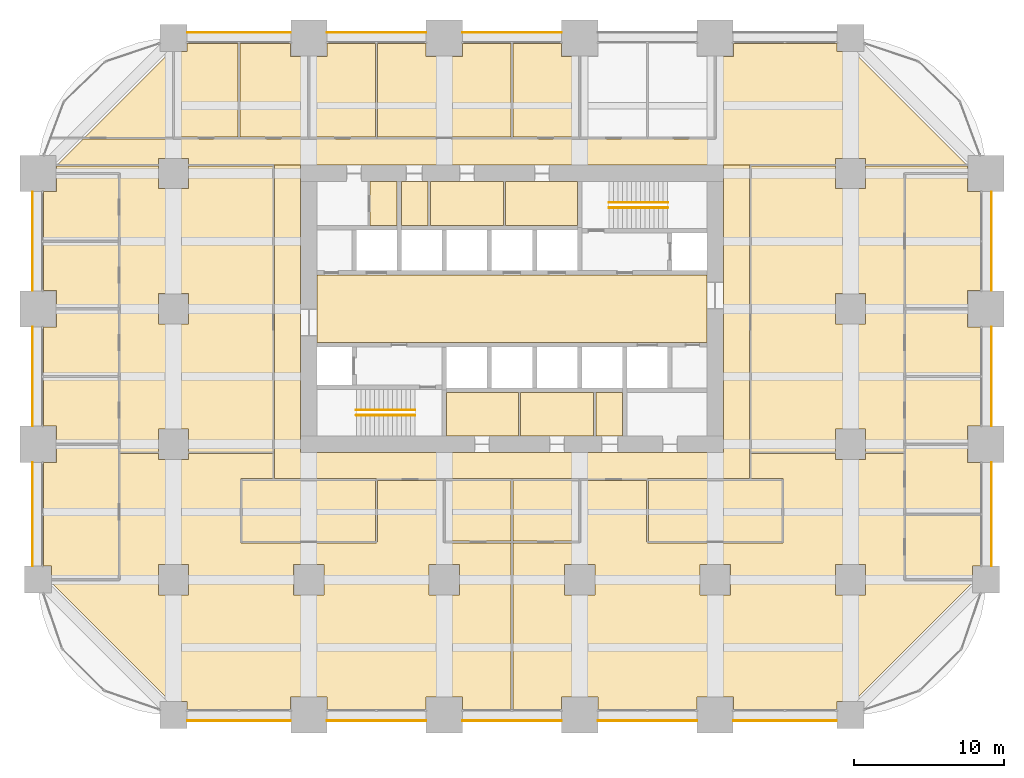
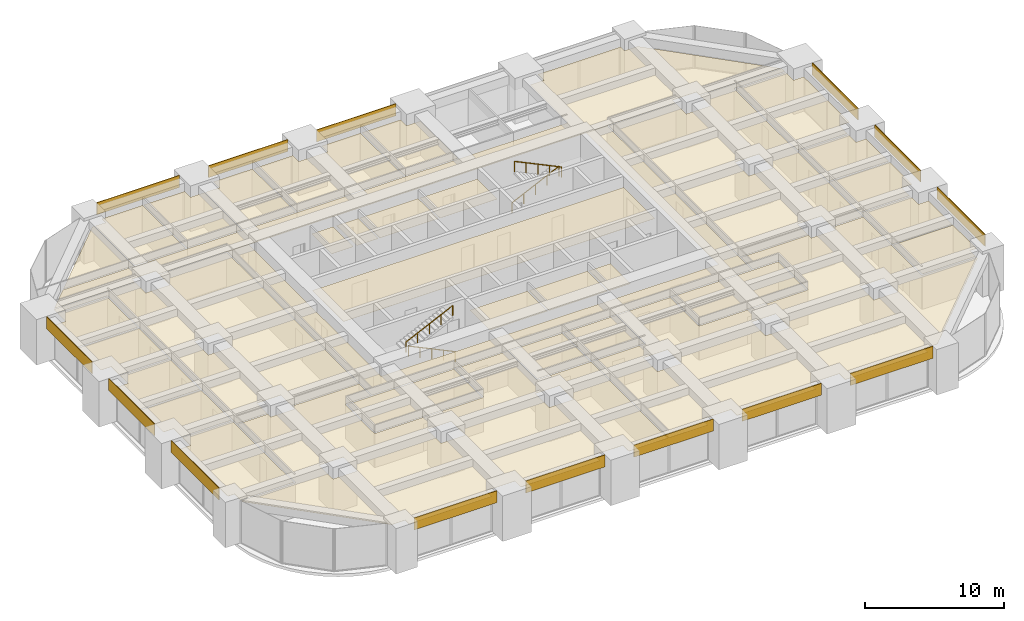
# One storey, part 40 of 41: 48 coverings, 4 railings.
"""IFC4 building model written with IfcOpenShell, lengths in metres."""

from ifc_helpers import new_model, si_unit, direction, frame, frame_2d, origin, origin_2d, place, context, subcontext, project, spatial, polyline, rectangle, circle, outline, extrude, material, layer, layer_set, type_object, element, save


model = new_model("IFC4")

# Units and contexts
model_context = context("Model", 3, precision=1e-05, world=origin(), true_north=direction((0.0, 1.0)))
body_context = subcontext(model_context, "Body", "Model", "MODEL_VIEW")
ifc_project = project(units=[si_unit("LENGTHUNIT", "METRE"), si_unit("AREAUNIT", "SQUARE_METRE"), si_unit("VOLUMEUNIT", "CUBIC_METRE"), si_unit("PLANEANGLEUNIT", "RADIAN"), si_unit("MASSUNIT", "GRAM", prefix="KILO")], contexts=[model_context])

# Site, building, storey
site_placement = place(None, origin())
site = spatial("IfcSite", under=ifc_project, at=site_placement, CompositionType="ELEMENT")
building_placement = place(site_placement, origin())
building = spatial("IfcBuilding", under=site, at=building_placement, Name="Zorevar Civic Tower", CompositionType="ELEMENT")
storey_placement = place(building_placement, frame((0.0, 0.0, 109.0)))
storey = spatial("IfcBuildingStorey", under=building, at=storey_placement, Name="L26", CompositionType="ELEMENT", Elevation=109.0)

# Railings
ifc_material_1 = material(Name="Black steel handrail", Category="steel")
railing_type = type_object("IfcRailingType", Name="Handrail HR1 900", PredefinedType="HANDRAIL", material=ifc_material_1)
railing_1_placement = place(storey_placement, frame((25.050048828125, 19.925048828125, 0.142822265625)))
element("IfcRailing", 1, at=railing_1_placement, inside=storey, type_object=railing_type, Name="Handrail HR1 ST1 L26", PredefinedType="HANDRAIL", context=body_context, shape_type="SweptSolid", body=[
    extrude(circle(Radius=0.02392578125, at=origin_2d()), frame((0.0, 0.0, 0.8759765625), z_axis=(-0.902863652845, 0.0, 0.429926998885), x_axis=(0.0, -1.0, 0.0)), (0.0, 0.0, 1.0), 4.31982421875),
    extrude(circle(Radius=0.02099609375, at=origin_2d()), origin(), (0.0, 0.0, 1.0), 0.851806640625),
    extrude(circle(Radius=0.02099609375, at=origin_2d()), frame((-0.97509765625, 0.0, 0.46435546875)), (0.0, 0.0, 1.0), 0.851806640625),
    extrude(circle(Radius=0.02099609375, at=origin_2d()), frame((-1.9501953125, 0.0, 0.9287109375)), (0.0, 0.0, 1.0), 0.851806640625),
    extrude(circle(Radius=0.02099609375, at=origin_2d()), frame((-2.925048828125, 0.0, 1.392822265625)), (0.0, 0.0, 1.0), 0.851806640625),
    extrude(circle(Radius=0.02099609375, at=origin_2d()), frame((-3.900146484375, 0.0, 1.857177734375)), (0.0, 0.0, 1.0), 0.851806640625),
])
for number, where, name in (
    (2, (21.14990234375, 20.27490234375, 2.142822265625), "Handrail HR1 ST1 L26"),
    (3, (37.949951171875, 34.074951171875, 0.142822265625), "Handrail HR1 ST2 L26"),
):
    element("IfcRailing", number, at=place(storey_placement, frame(where)), inside=storey, type_object=railing_type, Name=name, PredefinedType="HANDRAIL", context=body_context, shape_type="SweptSolid", body=[
        extrude(circle(Radius=0.02392578125, at=origin_2d()), frame((0.0, 0.0, 0.8759765625), z_axis=(0.902863652845, 0.0, 0.429926998885), x_axis=(0.0, 1.0, 0.0)), (0.0, 0.0, 1.0), 4.31982421875),
        extrude(circle(Radius=0.02099609375, at=origin_2d()), origin(), (0.0, 0.0, 1.0), 0.851806640625),
        extrude(circle(Radius=0.02099609375, at=origin_2d()), frame((0.97509765625, 0.0, 0.46435546875)), (0.0, 0.0, 1.0), 0.851806640625),
        extrude(circle(Radius=0.02099609375, at=origin_2d()), frame((1.9501953125, 0.0, 0.9287109375)), (0.0, 0.0, 1.0), 0.851806640625),
        extrude(circle(Radius=0.02099609375, at=origin_2d()), frame((2.925048828125, 0.0, 1.392822265625)), (0.0, 0.0, 1.0), 0.851806640625),
        extrude(circle(Radius=0.02099609375, at=origin_2d()), frame((3.900146484375, 0.0, 1.857177734375)), (0.0, 0.0, 1.0), 0.851806640625),
    ])
railing_2_placement = place(storey_placement, frame((41.85009765625, 33.72509765625, 2.142822265625)))
element("IfcRailing", 4, at=railing_2_placement, inside=storey, type_object=railing_type, Name="Handrail HR1 ST2 L26", PredefinedType="HANDRAIL", context=body_context, shape_type="SweptSolid", body=[
    extrude(circle(Radius=0.02392578125, at=origin_2d()), frame((0.0, 0.0, 0.8759765625), z_axis=(-0.902863652845, 0.0, 0.429926998885), x_axis=(0.0, -1.0, 0.0)), (0.0, 0.0, 1.0), 4.31982421875),
    extrude(circle(Radius=0.02099609375, at=origin_2d()), origin(), (0.0, 0.0, 1.0), 0.851806640625),
    extrude(circle(Radius=0.02099609375, at=origin_2d()), frame((-0.97509765625, 0.0, 0.46435546875)), (0.0, 0.0, 1.0), 0.851806640625),
    extrude(circle(Radius=0.02099609375, at=origin_2d()), frame((-1.9501953125, 0.0, 0.9287109375)), (0.0, 0.0, 1.0), 0.851806640625),
    extrude(circle(Radius=0.02099609375, at=origin_2d()), frame((-2.925048828125, 0.0, 1.392822265625)), (0.0, 0.0, 1.0), 0.851806640625),
    extrude(circle(Radius=0.02099609375, at=origin_2d()), frame((-3.900146484375, 0.0, 1.857177734375)), (0.0, 0.0, 1.0), 0.851806640625),
])

# Coverings
ifc_material_2 = material(Name="Moisture-resistant gypsum board")
ifc_layer_1 = layer(ifc_material_2, 0.012451171875)
ifc_layer_set_1 = layer_set([ifc_layer_1], Name="Moisture-resistant ceiling SC3")
covering_type_1 = type_object("IfcCoveringType", Name="Moisture-resistant ceiling SC3", PredefinedType="CEILING", material=ifc_layer_set_1)
covering_1_placement = place(storey_placement, frame((0.0, 0.0, 3.0)))
element("IfcCovering", 5, at=covering_1_placement, inside=storey, type_object=covering_type_1, Name="Ceiling L26-05", PredefinedType="CEILING", context=body_context, shape_type="SweptSolid", body=[
    extrude(outline(polyline([(31.925048828125, 18.550048828125), (31.925048828125, 21.449951171875), (27.14990234375, 21.449951171875), (27.14990234375, 18.550048828125), (31.925048828125, 18.550048828125)])), origin(), (0.0, 0.0, 1.0), 0.012451171875),
])
covering_2_placement = place(storey_placement, frame((0.0, 0.0, 3.0)))
element("IfcCovering", 6, at=covering_2_placement, inside=storey, type_object=covering_type_1, Name="Ceiling L26-06", PredefinedType="CEILING", context=body_context, shape_type="SweptSolid", body=[
    extrude(outline(polyline([(36.925048828125, 18.550048828125), (36.925048828125, 21.449951171875), (32.074951171875, 21.449951171875), (32.074951171875, 18.550048828125), (36.925048828125, 18.550048828125)])), origin(), (0.0, 0.0, 1.0), 0.012451171875),
])
covering_3_placement = place(storey_placement, frame((0.0, 0.0, 3.0)))
element("IfcCovering", 7, at=covering_3_placement, inside=storey, type_object=covering_type_1, Name="Ceiling L26-07", PredefinedType="CEILING", context=body_context, shape_type="SweptSolid", body=[
    extrude(outline(polyline([(38.85009765625, 18.550048828125), (38.85009765625, 21.449951171875), (37.074951171875, 21.449951171875), (37.074951171875, 18.550048828125), (38.85009765625, 18.550048828125)])), origin(), (0.0, 0.0, 1.0), 0.012451171875),
])
covering_4_placement = place(storey_placement, frame((0.0, 0.0, 3.0)))
element("IfcCovering", 8, at=covering_4_placement, inside=storey, type_object=covering_type_1, Name="Ceiling L26-08", PredefinedType="CEILING", context=body_context, shape_type="SweptSolid", body=[
    extrude(outline(polyline([(35.85009765625, 32.550048828125), (35.85009765625, 35.449951171875), (31.074951171875, 35.449951171875), (31.074951171875, 32.550048828125), (35.85009765625, 32.550048828125)])), origin(), (0.0, 0.0, 1.0), 0.012451171875),
])
covering_5_placement = place(storey_placement, frame((0.0, 0.0, 3.0)))
element("IfcCovering", 9, at=covering_5_placement, inside=storey, type_object=covering_type_1, Name="Ceiling L26-09", PredefinedType="CEILING", context=body_context, shape_type="SweptSolid", body=[
    extrude(outline(polyline([(30.925048828125, 32.550048828125), (30.925048828125, 35.449951171875), (26.074951171875, 35.449951171875), (26.074951171875, 32.550048828125), (30.925048828125, 32.550048828125)])), origin(), (0.0, 0.0, 1.0), 0.012451171875),
])
covering_6_placement = place(storey_placement, frame((0.0, 0.0, 3.0)))
element("IfcCovering", 10, at=covering_6_placement, inside=storey, type_object=covering_type_1, Name="Ceiling L26-10", PredefinedType="CEILING", context=body_context, shape_type="SweptSolid", body=[
    extrude(outline(polyline([(25.925048828125, 32.550048828125), (25.925048828125, 35.449951171875), (24.14990234375, 35.449951171875), (24.14990234375, 32.550048828125), (25.925048828125, 32.550048828125)])), origin(), (0.0, 0.0, 1.0), 0.012451171875),
])
ifc_material_3 = material(Name="Black anodised aluminium spandrel panel", Category="aluminium")
ifc_layer_2 = layer(ifc_material_3, 0.050048828125)
ifc_layer_set_2 = layer_set([ifc_layer_2], Name="Spandrel cladding SP1")
covering_type_2 = type_object("IfcCoveringType", Name="Spandrel cladding SP1", PredefinedType="CLADDING", material=ifc_layer_set_2)
covering_7_placement = place(storey_placement, frame((9.89990234375, -0.375, 2.949951171875), z_axis=(0.0, 0.0, 1.0), x_axis=(1.0, 0.0, 0.0)))
element("IfcCovering", 11, at=covering_7_placement, inside=storey, type_object=covering_type_2, Name="Spandrel cladding L27", PredefinedType="CLADDING", context=body_context, shape_type="SweptSolid", body=[
    extrude(rectangle(XDim=6.900146484375, YDim=0.050048828125, at=frame_2d((3.4501953125, 0.0))), origin(), (0.0, 0.0, 1.0), 1.050048828125),
])
for number, where, z_axis, x_axis, name in (
    (12, (19.199951171875, -0.375, 2.949951171875), (0.0, 0.0, 1.0), (1.0, 0.0, 0.0), "Spandrel cladding L27"),
    (13, (28.199951171875, -0.375, 2.949951171875), (0.0, 0.0, 1.0), (1.0, 0.0, 0.0), "Spandrel cladding L27"),
    (14, (37.199951171875, -0.375, 2.949951171875), (0.0, 0.0, 1.0), (1.0, 0.0, 0.0), "Spandrel cladding L27"),
):
    element("IfcCovering", number, at=place(storey_placement, frame(where, z_axis=z_axis, x_axis=x_axis)), inside=storey, type_object=covering_type_2, Name=name, PredefinedType="CLADDING", context=body_context, shape_type="SweptSolid", body=[
        extrude(rectangle(XDim=6.60009765625, YDim=0.050048828125, at=frame_2d((3.300048828125, 0.0))), origin(), (0.0, 0.0, 1.0), 1.050048828125),
    ])
for number, where, z_axis, x_axis, name in (
    (15, (46.199951171875, -0.375, 2.949951171875), (0.0, 0.0, 1.0), (1.0, 0.0, 0.0), "Spandrel cladding L27"),
    (16, (9.89990234375, 45.375, 2.949951171875), (0.0, 0.0, 1.0), (1.0, 0.0, 0.0), "Spandrel cladding L27"),
):
    element("IfcCovering", number, at=place(storey_placement, frame(where, z_axis=z_axis, x_axis=x_axis)), inside=storey, type_object=covering_type_2, Name=name, PredefinedType="CLADDING", context=body_context, shape_type="SweptSolid", body=[
        extrude(rectangle(XDim=6.900146484375, YDim=0.050048828125, at=frame_2d((3.4501953125, 0.0))), origin(), (0.0, 0.0, 1.0), 1.050048828125),
    ])
for number, where, z_axis, x_axis, name in (
    (17, (19.199951171875, 45.375, 2.949951171875), (0.0, 0.0, 1.0), (1.0, 0.0, 0.0), "Spandrel cladding L27"),
    (18, (28.199951171875, 45.375, 2.949951171875), (0.0, 0.0, 1.0), (1.0, 0.0, 0.0), "Spandrel cladding L27"),
):
    element("IfcCovering", number, at=place(storey_placement, frame(where, z_axis=z_axis, x_axis=x_axis)), inside=storey, type_object=covering_type_2, Name=name, PredefinedType="CLADDING", context=body_context, shape_type="SweptSolid", body=[
        extrude(rectangle(XDim=6.60009765625, YDim=0.050048828125, at=frame_2d((3.300048828125, 0.0))), origin(), (0.0, 0.0, 1.0), 1.050048828125),
    ])
covering_8_placement = place(storey_placement, frame((-0.375, 9.89990234375, 2.949951171875), z_axis=(0.0, 0.0, 1.0), x_axis=(0.0, 1.0, 0.0)))
element("IfcCovering", 19, at=covering_8_placement, inside=storey, type_object=covering_type_2, Name="Spandrel cladding L27", PredefinedType="CLADDING", context=body_context, shape_type="SweptSolid", body=[
    extrude(rectangle(XDim=6.900146484375, YDim=0.050048828125, at=frame_2d((3.4501953125, 0.0))), origin(), (0.0, 0.0, 1.0), 1.050048828125),
])
for number, where, z_axis, x_axis, name in (
    (20, (-0.375, 19.199951171875, 2.949951171875), (0.0, 0.0, 1.0), (0.0, 1.0, 0.0), "Spandrel cladding L27"),
    (21, (-0.375, 28.199951171875, 2.949951171875), (0.0, 0.0, 1.0), (0.0, 1.0, 0.0), "Spandrel cladding L27"),
):
    element("IfcCovering", number, at=place(storey_placement, frame(where, z_axis=z_axis, x_axis=x_axis)), inside=storey, type_object=covering_type_2, Name=name, PredefinedType="CLADDING", context=body_context, shape_type="SweptSolid", body=[
        extrude(rectangle(XDim=6.60009765625, YDim=0.050048828125, at=frame_2d((3.300048828125, 0.0))), origin(), (0.0, 0.0, 1.0), 1.050048828125),
    ])
covering_9_placement = place(storey_placement, frame((63.375, 9.89990234375, 2.949951171875), z_axis=(0.0, 0.0, 1.0), x_axis=(0.0, 1.0, 0.0)))
element("IfcCovering", 22, at=covering_9_placement, inside=storey, type_object=covering_type_2, Name="Spandrel cladding L27", PredefinedType="CLADDING", context=body_context, shape_type="SweptSolid", body=[
    extrude(rectangle(XDim=6.900146484375, YDim=0.050048828125, at=frame_2d((3.4501953125, 0.0))), origin(), (0.0, 0.0, 1.0), 1.050048828125),
])
for number, where, z_axis, x_axis, name in (
    (23, (63.375, 19.199951171875, 2.949951171875), (0.0, 0.0, 1.0), (0.0, 1.0, 0.0), "Spandrel cladding L27"),
    (24, (63.375, 28.199951171875, 2.949951171875), (0.0, 0.0, 1.0), (0.0, 1.0, 0.0), "Spandrel cladding L27"),
):
    element("IfcCovering", number, at=place(storey_placement, frame(where, z_axis=z_axis, x_axis=x_axis)), inside=storey, type_object=covering_type_2, Name=name, PredefinedType="CLADDING", context=body_context, shape_type="SweptSolid", body=[
        extrude(rectangle(XDim=6.60009765625, YDim=0.050048828125, at=frame_2d((3.300048828125, 0.0))), origin(), (0.0, 0.0, 1.0), 1.050048828125),
    ])
ifc_material_4 = material(Name="Mineral fibre tiles on a concealed grid")
ifc_layer_3 = layer(ifc_material_4, 0.02001953125)
ifc_layer_set_3 = layer_set([ifc_layer_3], Name="Suspended ceiling SC1")
covering_type_3 = type_object("IfcCoveringType", Name="Suspended ceiling SC1", PredefinedType="CEILING", material=ifc_layer_set_3)
covering_10_placement = place(storey_placement, frame((0.0, 0.0, 3.0)))
element("IfcCovering", 25, at=covering_10_placement, inside=storey, type_object=covering_type_3, Name="Ceiling L26-12", PredefinedType="CEILING", context=body_context, shape_type="SweptSolid", body=[
    extrude(outline(polyline([(23.85009765625, 32.550048828125), (23.85009765625, 35.449951171875), (22.06005859375, 35.449951171875), (22.06005859375, 32.550048828125), (23.85009765625, 32.550048828125)])), origin(), (0.0, 0.0, 1.0), 0.02001953125),
])
covering_11_placement = place(storey_placement, frame((0.0, 0.0, 3.0)))
element("IfcCovering", 26, at=covering_11_placement, inside=storey, type_object=covering_type_3, Name="Ceiling L26-16", PredefinedType="CEILING", context=body_context, shape_type="SweptSolid", body=[
    extrude(outline(polyline([(44.449951171875, 24.75), (44.449951171875, 29.25), (18.550048828125, 29.25), (18.550048828125, 24.75), (44.449951171875, 24.75)])), origin(), (0.0, 0.0, 1.0), 0.02001953125),
])
covering_12_placement = place(storey_placement, frame((0.0, 0.0, 3.0)))
element("IfcCovering", 27, at=covering_12_placement, inside=storey, type_object=covering_type_3, Name="Ceiling L26-17", PredefinedType="CEILING", context=body_context, shape_type="SweptSolid", body=[
    extrude(outline(polyline([(0.909912109375, 9.909912109375), (0.35009765625, 9.909912109375), (0.35009765625, 16.7900390625), (1.2099609375, 16.7900390625), (1.2099609375, 17.93994140625), (5.340087890625, 17.93994140625), (5.340087890625, 9.06005859375), (0.909912109375, 9.06005859375), (0.909912109375, 9.909912109375)])), origin(), (0.0, 0.0, 1.0), 0.02001953125),
])
covering_13_placement = place(storey_placement, frame((0.0, 0.0, 3.0)))
element("IfcCovering", 28, at=covering_13_placement, inside=storey, type_object=covering_type_3, Name="Ceiling L26-18", PredefinedType="CEILING", context=body_context, shape_type="SweptSolid", body=[
    extrude(outline(polyline([(5.340087890625, 18.06005859375), (1.2099609375, 18.06005859375), (1.2099609375, 19.2099609375), (0.35009765625, 19.2099609375), (0.35009765625, 22.43994140625), (5.340087890625, 22.43994140625), (5.340087890625, 18.06005859375)])), origin(), (0.0, 0.0, 1.0), 0.02001953125),
])
covering_14_placement = place(storey_placement, frame((0.0, 0.0, 3.0)))
element("IfcCovering", 29, at=covering_14_placement, inside=storey, type_object=covering_type_3, Name="Ceiling L26-19", PredefinedType="CEILING", context=body_context, shape_type="SweptSolid", body=[
    extrude(outline(polyline([(5.340087890625, 22.56005859375), (0.35009765625, 22.56005859375), (0.35009765625, 25.7900390625), (1.2099609375, 25.7900390625), (1.2099609375, 26.93994140625), (5.340087890625, 26.93994140625), (5.340087890625, 22.56005859375)])), origin(), (0.0, 0.0, 1.0), 0.02001953125),
])
covering_15_placement = place(storey_placement, frame((0.0, 0.0, 3.0)))
element("IfcCovering", 30, at=covering_15_placement, inside=storey, type_object=covering_type_3, Name="Ceiling L26-20", PredefinedType="CEILING", context=body_context, shape_type="SweptSolid", body=[
    extrude(outline(polyline([(5.340087890625, 27.06005859375), (1.2099609375, 27.06005859375), (1.2099609375, 28.2099609375), (0.35009765625, 28.2099609375), (0.35009765625, 31.43994140625), (5.340087890625, 31.43994140625), (5.340087890625, 27.06005859375)])), origin(), (0.0, 0.0, 1.0), 0.02001953125),
])
covering_16_placement = place(storey_placement, frame((0.0, 0.0, 3.0)))
element("IfcCovering", 31, at=covering_16_placement, inside=storey, type_object=covering_type_3, Name="Ceiling L26-21", PredefinedType="CEILING", context=body_context, shape_type="SweptSolid", body=[
    extrude(outline(polyline([(5.340087890625, 31.56005859375), (0.35009765625, 31.56005859375), (0.35009765625, 34.7900390625), (1.2099609375, 34.7900390625), (1.2099609375, 35.93994140625), (5.340087890625, 35.93994140625), (5.340087890625, 31.56005859375)])), origin(), (0.0, 0.0, 1.0), 0.02001953125),
])
covering_17_placement = place(storey_placement, frame((0.0, 0.0, 3.0)))
element("IfcCovering", 32, at=covering_17_placement, inside=storey, type_object=covering_type_3, Name="Ceiling L26-22", PredefinedType="CEILING", context=body_context, shape_type="SweptSolid", body=[
    extrude(outline(polyline([(57.659912109375, 13.2900390625), (62.64990234375, 13.2900390625), (62.64990234375, 9.909912109375), (62.090087890625, 9.909912109375), (62.090087890625, 9.06005859375), (57.659912109375, 9.06005859375), (57.659912109375, 13.2900390625)])), origin(), (0.0, 0.0, 1.0), 0.02001953125),
])
covering_18_placement = place(storey_placement, frame((0.0, 0.0, 3.0)))
element("IfcCovering", 33, at=covering_18_placement, inside=storey, type_object=covering_type_3, Name="Ceiling L26-23", PredefinedType="CEILING", context=body_context, shape_type="SweptSolid", body=[
    extrude(outline(polyline([(57.659912109375, 17.93994140625), (61.7900390625, 17.93994140625), (61.7900390625, 16.7900390625), (62.64990234375, 16.7900390625), (62.64990234375, 13.409912109375), (57.659912109375, 13.409912109375), (57.659912109375, 17.93994140625)])), origin(), (0.0, 0.0, 1.0), 0.02001953125),
])
covering_19_placement = place(storey_placement, frame((0.0, 0.0, 3.0)))
element("IfcCovering", 34, at=covering_19_placement, inside=storey, type_object=covering_type_3, Name="Ceiling L26-24", PredefinedType="CEILING", context=body_context, shape_type="SweptSolid", body=[
    extrude(outline(polyline([(57.659912109375, 22.43994140625), (62.64990234375, 22.43994140625), (62.64990234375, 19.2099609375), (61.7900390625, 19.2099609375), (61.7900390625, 18.06005859375), (57.659912109375, 18.06005859375), (57.659912109375, 22.43994140625)])), origin(), (0.0, 0.0, 1.0), 0.02001953125),
])
covering_20_placement = place(storey_placement, frame((0.0, 0.0, 3.0)))
element("IfcCovering", 35, at=covering_20_placement, inside=storey, type_object=covering_type_3, Name="Ceiling L26-25", PredefinedType="CEILING", context=body_context, shape_type="SweptSolid", body=[
    extrude(outline(polyline([(57.659912109375, 26.93994140625), (61.7900390625, 26.93994140625), (61.7900390625, 25.7900390625), (62.64990234375, 25.7900390625), (62.64990234375, 22.56005859375), (57.659912109375, 22.56005859375), (57.659912109375, 26.93994140625)])), origin(), (0.0, 0.0, 1.0), 0.02001953125),
])
covering_21_placement = place(storey_placement, frame((0.0, 0.0, 3.0)))
element("IfcCovering", 36, at=covering_21_placement, inside=storey, type_object=covering_type_3, Name="Ceiling L26-26", PredefinedType="CEILING", context=body_context, shape_type="SweptSolid", body=[
    extrude(outline(polyline([(62.64990234375, 28.2099609375), (61.7900390625, 28.2099609375), (61.7900390625, 27.06005859375), (57.659912109375, 27.06005859375), (57.659912109375, 35.93994140625), (61.7900390625, 35.93994140625), (61.7900390625, 34.7900390625), (62.64990234375, 34.7900390625), (62.64990234375, 28.2099609375)])), origin(), (0.0, 0.0, 1.0), 0.02001953125),
])
covering_22_placement = place(storey_placement, frame((0.0, 0.0, 3.0)))
element("IfcCovering", 37, at=covering_22_placement, inside=storey, type_object=covering_type_3, Name="Ceiling L26-27", PredefinedType="CEILING", context=body_context, shape_type="SweptSolid", body=[
    extrude(outline(polyline([(9.06005859375, 38.409912109375), (9.06005859375, 44.090087890625), (9.909912109375, 44.090087890625), (9.909912109375, 44.64990234375), (13.2900390625, 44.64990234375), (13.2900390625, 38.409912109375), (9.06005859375, 38.409912109375)])), origin(), (0.0, 0.0, 1.0), 0.02001953125),
])
covering_23_placement = place(storey_placement, frame((0.0, 0.0, 3.0)))
element("IfcCovering", 38, at=covering_23_placement, inside=storey, type_object=covering_type_3, Name="Ceiling L26-28", PredefinedType="CEILING", context=body_context, shape_type="SweptSolid", body=[
    extrude(outline(polyline([(13.409912109375, 38.409912109375), (13.409912109375, 44.64990234375), (16.7900390625, 44.64990234375), (16.7900390625, 43.7900390625), (17.93994140625, 43.7900390625), (17.93994140625, 38.409912109375), (13.409912109375, 38.409912109375)])), origin(), (0.0, 0.0, 1.0), 0.02001953125),
])
covering_24_placement = place(storey_placement, frame((0.0, 0.0, 3.0)))
element("IfcCovering", 39, at=covering_24_placement, inside=storey, type_object=covering_type_3, Name="Ceiling L26-29", PredefinedType="CEILING", context=body_context, shape_type="SweptSolid", body=[
    extrude(outline(polyline([(18.06005859375, 38.409912109375), (18.06005859375, 43.7900390625), (19.2099609375, 43.7900390625), (19.2099609375, 44.64990234375), (22.43994140625, 44.64990234375), (22.43994140625, 38.409912109375), (18.06005859375, 38.409912109375)])), origin(), (0.0, 0.0, 1.0), 0.02001953125),
])
covering_25_placement = place(storey_placement, frame((0.0, 0.0, 3.0)))
element("IfcCovering", 40, at=covering_25_placement, inside=storey, type_object=covering_type_3, Name="Ceiling L26-30", PredefinedType="CEILING", context=body_context, shape_type="SweptSolid", body=[
    extrude(outline(polyline([(22.56005859375, 38.409912109375), (22.56005859375, 44.64990234375), (25.7900390625, 44.64990234375), (25.7900390625, 43.7900390625), (28.2099609375, 43.7900390625), (28.2099609375, 44.64990234375), (31.43994140625, 44.64990234375), (31.43994140625, 38.409912109375), (22.56005859375, 38.409912109375)])), origin(), (0.0, 0.0, 1.0), 0.02001953125),
])
covering_26_placement = place(storey_placement, frame((0.0, 0.0, 3.0)))
element("IfcCovering", 41, at=covering_26_placement, inside=storey, type_object=covering_type_3, Name="Ceiling L26-31", PredefinedType="CEILING", context=body_context, shape_type="SweptSolid", body=[
    extrude(outline(polyline([(31.56005859375, 38.409912109375), (31.56005859375, 44.64990234375), (34.7900390625, 44.64990234375), (34.7900390625, 43.7900390625), (35.93994140625, 43.7900390625), (35.93994140625, 38.409912109375), (31.56005859375, 38.409912109375)])), origin(), (0.0, 0.0, 1.0), 0.02001953125),
])
covering_27_placement = place(storey_placement, frame((0.0, 0.0, 3.0)))
element("IfcCovering", 42, at=covering_27_placement, inside=storey, type_object=covering_type_3, Name="Ceiling L26-34", PredefinedType="CEILING", context=body_context, shape_type="SweptSolid", body=[
    extrude(outline(polyline([(13.56005859375, 15.590087890625), (22.43994140625, 15.590087890625), (22.43994140625, 11.550048828125), (13.56005859375, 11.550048828125), (13.56005859375, 15.590087890625)])), origin(), (0.0, 0.0, 1.0), 0.02001953125),
])
covering_28_placement = place(storey_placement, frame((0.0, 0.0, 3.0)))
element("IfcCovering", 43, at=covering_28_placement, inside=storey, type_object=covering_type_3, Name="Ceiling L26-35", PredefinedType="CEILING", context=body_context, shape_type="SweptSolid", body=[
    extrude(outline(polyline([(49.43994140625, 15.590087890625), (49.43994140625, 11.550048828125), (40.56005859375, 11.550048828125), (40.56005859375, 15.590087890625), (49.43994140625, 15.590087890625)])), origin(), (0.0, 0.0, 1.0), 0.02001953125),
])
covering_29_placement = place(storey_placement, frame((0.0, 0.0, 3.0)))
element("IfcCovering", 44, at=covering_29_placement, inside=storey, type_object=covering_type_3, Name="Ceiling L26-36", PredefinedType="CEILING", context=body_context, shape_type="SweptSolid", body=[
    extrude(outline(polyline([(8.93994140625, 44.090087890625), (8.93994140625, 38.39990234375), (3.107177734375, 38.39990234375), (8.797119140625, 44.090087890625), (8.93994140625, 44.090087890625)])), origin(), (0.0, 0.0, 1.0), 0.02001953125),
])
covering_30_placement = place(storey_placement, frame((0.0, 0.0, 3.0)))
element("IfcCovering", 45, at=covering_30_placement, inside=storey, type_object=covering_type_3, Name="Ceiling L26-37", PredefinedType="CEILING", context=body_context, shape_type="SweptSolid", body=[
    extrude(outline(polyline([(27.06005859375, 15.590087890625), (31.43994140625, 15.590087890625), (31.43994140625, 11.56005859375), (27.06005859375, 11.56005859375), (27.06005859375, 15.590087890625)])), origin(), (0.0, 0.0, 1.0), 0.02001953125),
])
covering_31_placement = place(storey_placement, frame((0.0, 0.0, 3.0)))
element("IfcCovering", 46, at=covering_31_placement, inside=storey, type_object=covering_type_3, Name="Ceiling L26-38", PredefinedType="CEILING", context=body_context, shape_type="SweptSolid", body=[
    extrude(outline(polyline([(31.56005859375, 15.590087890625), (35.93994140625, 15.590087890625), (35.93994140625, 11.56005859375), (31.56005859375, 11.56005859375), (31.56005859375, 15.590087890625)])), origin(), (0.0, 0.0, 1.0), 0.02001953125),
])
covering_32_placement = place(storey_placement, frame((0.0, 0.0, 3.0)))
element("IfcCovering", 47, at=covering_32_placement, inside=storey, type_object=covering_type_3, Name="Ceiling L26-39", PredefinedType="CEILING", context=body_context, shape_type="SweptSolid", body=[
    extrude(outline(polyline([(47.300048828125, 15.7099609375), (40.5, 15.7099609375), (40.5, 15.699951171875), (36.0, 15.699951171875), (36.0, 15.7099609375), (27.0, 15.7099609375), (27.0, 15.699951171875), (22.5, 15.699951171875), (22.5, 15.7099609375), (15.699951171875, 15.7099609375), (15.699951171875, 36.550048828125), (17.449951171875, 36.550048828125), (17.449951171875, 17.449951171875), (45.550048828125, 17.449951171875), (45.550048828125, 36.550048828125), (47.300048828125, 36.550048828125), (47.300048828125, 15.7099609375)])), origin(), (0.0, 0.0, 1.0), 0.02001953125),
])
covering_33_placement = place(storey_placement, frame((0.0, 0.0, 3.0)))
element("IfcCovering", 48, at=covering_33_placement, inside=storey, type_object=covering_type_3, Name="Ceiling L26-40", PredefinedType="CEILING", context=body_context, shape_type="SweptSolid", body=[
    extrude(outline(polyline([(52.989990234375, 19.010009765625), (52.989990234375, 17.5), (47.39990234375, 17.5), (47.39990234375, 36.5), (52.989990234375, 36.5), (52.989990234375, 34.989990234375), (55.010009765625, 34.989990234375), (55.010009765625, 36.5), (61.7900390625, 36.5), (61.7900390625, 36.06005859375), (57.60009765625, 36.06005859375), (57.60009765625, 36.0), (57.5400390625, 36.0), (57.5400390625, 17.5), (55.010009765625, 17.5), (55.010009765625, 19.010009765625), (52.989990234375, 19.010009765625)]), holes=[polyline([(52.989990234375, 25.989990234375), (55.010009765625, 25.989990234375), (55.010009765625, 28.010009765625), (52.989990234375, 28.010009765625), (52.989990234375, 25.989990234375)])]), origin(), (0.0, 0.0, 1.0), 0.02001953125),
])
covering_34_placement = place(storey_placement, frame((0.0, 0.0, 3.0)))
element("IfcCovering", 49, at=covering_34_placement, inside=storey, type_object=covering_type_3, Name="Ceiling L26-41", PredefinedType="CEILING", context=body_context, shape_type="SweptSolid", body=[
    extrude(outline(polyline([(53.090087890625, 44.090087890625), (54.202880859375, 44.090087890625), (61.69287109375, 36.60009765625), (55.010009765625, 36.60009765625), (55.010009765625, 37.010009765625), (52.989990234375, 37.010009765625), (52.989990234375, 36.60009765625), (47.35009765625, 36.60009765625), (47.35009765625, 36.550048828125), (15.64990234375, 36.550048828125), (15.64990234375, 36.60009765625), (10.010009765625, 36.60009765625), (10.010009765625, 37.010009765625), (7.989990234375, 37.010009765625), (7.989990234375, 36.60009765625), (1.30712890625, 36.60009765625), (3.007080078125, 38.300048828125), (9.0, 38.300048828125), (9.0, 38.2900390625), (45.0, 38.2900390625), (45.0, 38.35009765625), (45.06005859375, 38.35009765625), (45.06005859375, 43.7900390625), (46.2099609375, 43.7900390625), (46.2099609375, 44.64990234375), (53.090087890625, 44.64990234375), (53.090087890625, 44.090087890625)])), origin(), (0.0, 0.0, 1.0), 0.02001953125),
])
covering_35_placement = place(storey_placement, frame((0.0, 0.0, 3.0)))
element("IfcCovering", 50, at=covering_35_placement, inside=storey, type_object=covering_type_3, Name="Ceiling L26-42", PredefinedType="CEILING", context=body_context, shape_type="SweptSolid", body=[
    extrude(outline(polyline([(5.4599609375, 17.39990234375), (7.989990234375, 17.39990234375), (7.989990234375, 16.989990234375), (10.010009765625, 16.989990234375), (10.010009765625, 17.39990234375), (15.60009765625, 17.39990234375), (15.60009765625, 15.7099609375), (13.5, 15.7099609375), (13.5, 15.64990234375), (13.43994140625, 15.64990234375), (13.43994140625, 11.5), (13.5, 11.5), (13.5, 11.449951171875), (22.5, 11.449951171875), (22.5, 11.5), (22.56005859375, 11.5), (22.56005859375, 15.60009765625), (26.93994140625, 15.60009765625), (26.93994140625, 11.5), (27.0, 11.5), (27.0, 11.43994140625), (31.449951171875, 11.43994140625), (31.449951171875, 0.35009765625), (28.2099609375, 0.35009765625), (28.2099609375, 1.2099609375), (25.7900390625, 1.2099609375), (25.7900390625, 0.35009765625), (19.2099609375, 0.35009765625), (19.2099609375, 1.2099609375), (16.7900390625, 1.2099609375), (16.7900390625, 0.35009765625), (9.909912109375, 0.35009765625), (9.909912109375, 0.909912109375), (8.797119140625, 0.909912109375), (0.909912109375, 8.797119140625), (0.909912109375, 8.93994140625), (5.39990234375, 8.93994140625), (5.39990234375, 9.0), (5.4599609375, 9.0), (5.4599609375, 17.39990234375)]), holes=[polyline([(7.989990234375, 7.989990234375), (10.010009765625, 7.989990234375), (10.010009765625, 10.010009765625), (7.989990234375, 10.010009765625), (7.989990234375, 7.989990234375)]), polyline([(19.010009765625, 7.989990234375), (19.010009765625, 10.010009765625), (16.989990234375, 10.010009765625), (16.989990234375, 7.989990234375), (19.010009765625, 7.989990234375)]), polyline([(25.989990234375, 10.010009765625), (25.989990234375, 7.989990234375), (28.010009765625, 7.989990234375), (28.010009765625, 10.010009765625), (25.989990234375, 10.010009765625)])]), origin(), (0.0, 0.0, 1.0), 0.02001953125),
])
covering_36_placement = place(storey_placement, frame((0.0, 0.0, 3.0)))
element("IfcCovering", 51, at=covering_36_placement, inside=storey, type_object=covering_type_3, Name="Ceiling L26-43", PredefinedType="CEILING", context=body_context, shape_type="SweptSolid", body=[
    extrude(outline(polyline([(52.989990234375, 17.39990234375), (52.989990234375, 16.989990234375), (55.010009765625, 16.989990234375), (55.010009765625, 17.39990234375), (57.5400390625, 17.39990234375), (57.5400390625, 9.0), (57.60009765625, 9.0), (57.60009765625, 8.93994140625), (62.090087890625, 8.93994140625), (62.090087890625, 8.797119140625), (54.202880859375, 0.909912109375), (53.090087890625, 0.909912109375), (53.090087890625, 0.35009765625), (46.2099609375, 0.35009765625), (46.2099609375, 1.2099609375), (43.7900390625, 1.2099609375), (43.7900390625, 0.35009765625), (37.2099609375, 0.35009765625), (37.2099609375, 1.2099609375), (34.7900390625, 1.2099609375), (34.7900390625, 0.35009765625), (31.550048828125, 0.35009765625), (31.550048828125, 11.43994140625), (36.0, 11.43994140625), (36.0, 11.5), (36.06005859375, 11.5), (36.06005859375, 15.60009765625), (40.43994140625, 15.60009765625), (40.43994140625, 11.5), (40.5, 11.5), (40.5, 11.449951171875), (49.5, 11.449951171875), (49.5, 11.5), (49.56005859375, 11.5), (49.56005859375, 15.64990234375), (49.5, 15.64990234375), (49.5, 15.7099609375), (47.39990234375, 15.7099609375), (47.39990234375, 17.39990234375), (52.989990234375, 17.39990234375)]), holes=[polyline([(37.010009765625, 7.989990234375), (37.010009765625, 10.010009765625), (34.989990234375, 10.010009765625), (34.989990234375, 7.989990234375), (37.010009765625, 7.989990234375)]), polyline([(43.989990234375, 10.010009765625), (43.989990234375, 7.989990234375), (46.010009765625, 7.989990234375), (46.010009765625, 10.010009765625), (43.989990234375, 10.010009765625)]), polyline([(55.010009765625, 7.989990234375), (55.010009765625, 10.010009765625), (52.989990234375, 10.010009765625), (52.989990234375, 7.989990234375), (55.010009765625, 7.989990234375)])]), origin(), (0.0, 0.0, 1.0), 0.02001953125),
])
covering_37_placement = place(storey_placement, frame((0.0, 0.0, 3.0)))
element("IfcCovering", 52, at=covering_37_placement, inside=storey, type_object=covering_type_3, Name="Ceiling L26-44", PredefinedType="CEILING", context=body_context, shape_type="SweptSolid", body=[
    extrude(outline(polyline([(5.39990234375, 36.0), (5.39990234375, 36.06005859375), (1.2099609375, 36.06005859375), (1.2099609375, 36.5), (7.989990234375, 36.5), (7.989990234375, 34.989990234375), (10.010009765625, 34.989990234375), (10.010009765625, 36.5), (15.60009765625, 36.5), (15.60009765625, 17.5), (10.010009765625, 17.5), (10.010009765625, 19.010009765625), (7.989990234375, 19.010009765625), (7.989990234375, 17.5), (5.4599609375, 17.5), (5.4599609375, 36.0), (5.39990234375, 36.0)]), holes=[polyline([(7.989990234375, 28.010009765625), (7.989990234375, 25.989990234375), (10.010009765625, 25.989990234375), (10.010009765625, 28.010009765625), (7.989990234375, 28.010009765625)])]), origin(), (0.0, 0.0, 1.0), 0.02001953125),
])

save(model, "model.ifc")
